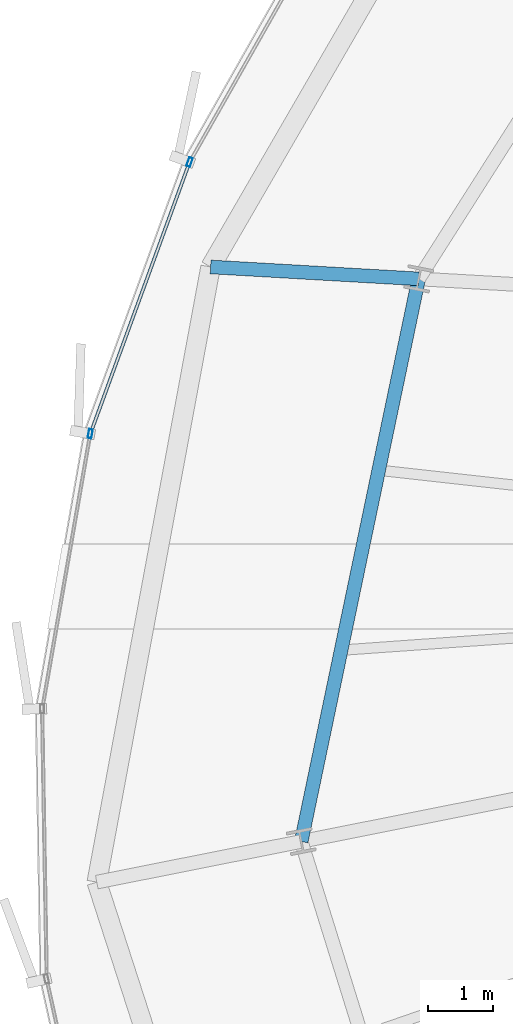
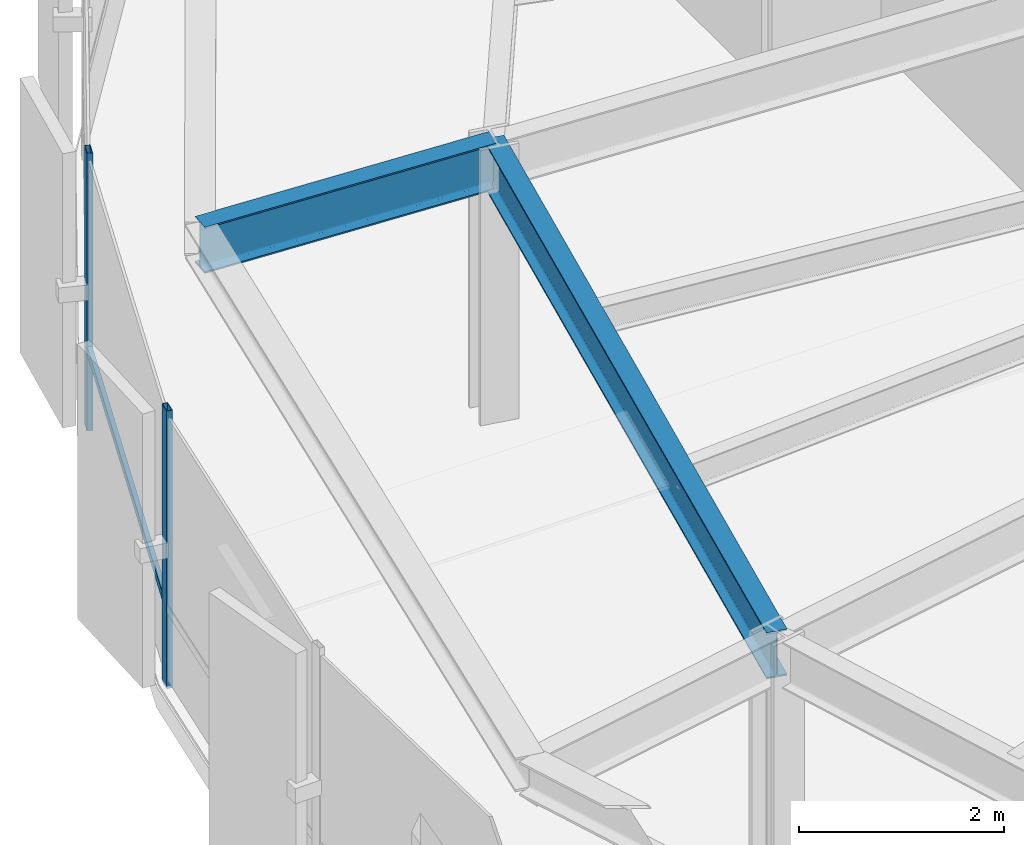
# One storey, part 10 of 32: 3 members, 2 beams, 1 element without a shape of its own.
"""IFC4 building model written with IfcOpenShell, lengths in metres."""

import ifcopenshell
import ifcopenshell.guid

model = None  # the IFC model being written
_history = None  # IfcOwnerHistory: only IFC2X3 demands one
_inside = {}  # id of a spatial element -> (the spatial element, [elements in it])
_under = {}  # id of a project, library or spatial element -> (it, [spatial elements below it])
_declared = {}  # id of a project -> (the project, [libraries it declares])
_typed = {}  # id of a type object -> (the type object, [elements of that type])
_made_of = {}  # id of a material, layer set ... -> (it, [elements and type objects made of it])


def new_model(schema):
    """Start an empty IFC model of exactly this schema.

    Asked for "IFC4X3", IfcOpenShell would pick the latest addendum, in which some entities
    have other attributes; the version numbers below select the first issue.
    IFC2X3 requires an IfcOwnerHistory on every rooted entity: one is made here for all.
    """
    global model, _history
    if schema == "IFC4X3":
        model = ifcopenshell.file(schema_version=(4, 3, 0, 0))
    else:
        model = ifcopenshell.file(schema=schema)
    _inside.clear()
    _under.clear()
    _declared.clear()
    _typed.clear()
    _made_of.clear()
    _history = None
    if model.schema == "IFC2X3":
        org = make("IfcOrganization", Name="unknown")
        user = make(
            "IfcPersonAndOrganization",
            ThePerson=make("IfcPerson", FamilyName="unknown"),
            TheOrganization=org,
        )
        app = make(
            "IfcApplication",
            ApplicationDeveloper=org,
            Version="unknown",
            ApplicationFullName="unknown",
            ApplicationIdentifier="unknown",
        )
        _history = make(
            "IfcOwnerHistory",
            OwningUser=user,
            OwningApplication=app,
            ChangeAction="ADDED",
            CreationDate=0,
        )
    return model


def make(cls, **values):
    """One entity of the class cls with the attributes given. An attribute that is None is left unset."""
    return model.create_entity(
        cls, **{name: value for name, value in values.items() if value is not None}
    )


def rooted(cls, **values):
    """An entity with a GlobalId (a new one), such as an element, a storey or a relation."""
    return make(cls, GlobalId=ifcopenshell.guid.new(), OwnerHistory=_history, **values)


def si_unit(unit_type, name, prefix=None):
    """IfcSIUnit, for example si_unit("LENGTHUNIT", "METRE", prefix="MILLI")."""
    return make("IfcSIUnit", UnitType=unit_type, Prefix=prefix, Name=name)


def assignment(units):
    """IfcUnitAssignment: the units of a project."""
    return None if units is None else make("IfcUnitAssignment", Units=units)


def point(xyz):
    """IfcCartesianPoint."""
    return None if xyz is None else make("IfcCartesianPoint", Coordinates=xyz)


def direction(xyz):
    """IfcDirection."""
    return None if xyz is None else make("IfcDirection", DirectionRatios=xyz)


def frame(location, z_axis=None, x_axis=None):
    """IfcAxis2Placement3D, a coordinate frame: its origin and axes. An axis left out is left unset."""
    return make(
        "IfcAxis2Placement3D",
        Location=point(location),
        Axis=direction(z_axis),
        RefDirection=direction(x_axis),
    )


def frame_2d(location, x_axis=None):
    """IfcAxis2Placement2D, a coordinate frame in the plane: its origin and x axis."""
    return make(
        "IfcAxis2Placement2D", Location=point(location), RefDirection=direction(x_axis)
    )


def origin():
    """The frame at (0, 0, 0) with its axes left unset."""
    return frame((0.0, 0.0, 0.0))


def origin_2d():
    """The frame at (0, 0) in the plane with its x axis left unset."""
    return frame_2d((0.0, 0.0))


def place(relative_to, where):
    """IfcLocalPlacement: puts the frame where relative to a parent placement (None: the world)."""
    return make(
        "IfcLocalPlacement", PlacementRelTo=relative_to, RelativePlacement=where
    )


def context(
    kind, dimensions, precision=None, world=None, true_north=None, identifier=None
):
    """IfcGeometricRepresentationContext, for example the 3D "Model" context."""
    return make(
        "IfcGeometricRepresentationContext",
        ContextIdentifier=identifier,
        ContextType=kind,
        CoordinateSpaceDimension=dimensions,
        Precision=precision,
        WorldCoordinateSystem=world,
        TrueNorth=true_north,
    )


def subcontext(parent, identifier, kind, view, scale=None):
    """IfcGeometricRepresentationSubContext, for example "Body" below "Model"."""
    return make(
        "IfcGeometricRepresentationSubContext",
        ContextIdentifier=identifier,
        ContextType=kind,
        ParentContext=parent,
        TargetScale=scale,
        TargetView=view,
    )


def project(units=None, contexts=None):
    """IfcProject with its units and contexts."""
    return rooted(
        "IfcProject",
        Name="project",
        RepresentationContexts=contexts,
        UnitsInContext=assignment(units),
    )


def spatial(cls, under=None, at=None, **own):
    """A site, building, storey or space (cls), placed at a placement, below another one or the project."""
    s = rooted(cls, ObjectPlacement=at, **own)
    if under is not None:
        _under.setdefault(under.id(), (under, []))[1].append(s)
    return s


def profile(cls, at=None, kind="AREA", **sizes):
    """A parametric profile (cls). Its sizes go by their IFC names, for example OverallWidth=200.0."""
    return make(cls, ProfileType=kind, Position=at, **sizes)


def hollow_rectangle(**sizes):
    """IfcRectangleHollowProfileDef."""
    return profile("IfcRectangleHollowProfileDef", **sizes)


def i_section(**sizes):
    """IfcIShapeProfileDef."""
    return profile("IfcIShapeProfileDef", **sizes)


def extrude(swept, where, along, depth):
    """IfcExtrudedAreaSolid: the profile swept, set in the frame where, extruded along a direction by depth."""
    return make(
        "IfcExtrudedAreaSolid",
        SweptArea=swept,
        Position=where,
        ExtrudedDirection=direction(along),
        Depth=depth,
    )


def shape(context_of_items, identifier, shape_type, items):
    """IfcShapeRepresentation: the items that make up one representation, for example the "Body"."""
    return make(
        "IfcShapeRepresentation",
        ContextOfItems=context_of_items,
        RepresentationIdentifier=identifier,
        RepresentationType=shape_type,
        Items=items,
    )


def source(mapping_origin, context_of_items, identifier, shape_type, items):
    """IfcRepresentationMap: a shape defined once, which mapped items show again and again."""
    return make(
        "IfcRepresentationMap",
        MappingOrigin=mapping_origin,
        MappedRepresentation=shape(context_of_items, identifier, shape_type, items),
    )


def transform(
    local_origin,
    x_axis=None,
    y_axis=None,
    z_axis=None,
    scale=None,
    scale2=None,
    scale3=None,
    uniform=True,
):
    """IfcCartesianTransformationOperator3D, or its non-uniform kind. x_axis, y_axis, z_axis: its Axis1, 2, 3."""
    if uniform:
        return make(
            "IfcCartesianTransformationOperator3D",
            Axis1=direction(x_axis),
            Axis2=direction(y_axis),
            LocalOrigin=point(local_origin),
            Scale=scale,
            Axis3=direction(z_axis),
        )
    return make(
        "IfcCartesianTransformationOperator3DnonUniform",
        Axis1=direction(x_axis),
        Axis2=direction(y_axis),
        LocalOrigin=point(local_origin),
        Scale=scale,
        Axis3=direction(z_axis),
        Scale2=scale2,
        Scale3=scale3,
    )


def mapped(mapping_source, mapping_target):
    """IfcMappedItem: shows the shape of a source again, moved by a transform."""
    return make(
        "IfcMappedItem", MappingSource=mapping_source, MappingTarget=mapping_target
    )


def material(Name=None, Category=None):
    """IfcMaterial."""
    return make("IfcMaterial", Name=Name, Category=Category)


def layer(
    of_material, thickness, ventilated=None, Name=None, Category=None, Priority=None
):
    """IfcMaterialLayer: one layer of a wall or slab, of a material (None: an air gap)."""
    return make(
        "IfcMaterialLayer",
        Material=of_material,
        LayerThickness=thickness,
        IsVentilated=ventilated,
        Name=Name,
        Category=Category,
        Priority=Priority,
    )


def layer_set(layers, Name=None):
    """IfcMaterialLayerSet."""
    return make("IfcMaterialLayerSet", MaterialLayers=layers, LayerSetName=Name)


def material_profile(
    of_material, cross_section, Name=None, Category=None, Priority=None
):
    """IfcMaterialProfile: a cross section and its material."""
    return make(
        "IfcMaterialProfile",
        Name=Name,
        Material=of_material,
        Profile=cross_section,
        Priority=Priority,
        Category=Category,
    )


def profile_set(profiles, Name=None, composite=None):
    """IfcMaterialProfileSet."""
    return make(
        "IfcMaterialProfileSet",
        Name=Name,
        MaterialProfiles=profiles,
        CompositeProfile=composite,
    )


def made_of(thing, what):
    """Note that an element or type object is made of a material, layer set ...; save() writes the relation."""
    if what is not None:
        _made_of.setdefault(what.id(), (what, []))[1].append(thing)
    return thing


def type_object(cls, material=None, **own):
    """A type object (cls), such as IfcWallType, which elements share."""
    return made_of(rooted(cls, **own), material)


def element(
    cls,
    number,
    at=None,
    inside=None,
    cuts=None,
    type_object=None,
    material=None,
    context=None,
    identifier="Body",
    shape_type=None,
    held_by="IfcProductDefinitionShape",
    body=None,
    shapes=None,
    **own,
):
    """One element of the class cls, such as IfcWall. Its Tag is "e" and its number.

    at: its placement. inside: the storey or other place that contains it. cuts: it is an
    opening in that element (IfcRelVoidsElement). A single representation is given by context,
    identifier, shape_type and body (its items); several are given by shapes. held_by: the class
    of the entity that holds the representations. save() writes the other relations.
    """
    e = rooted(cls, Tag="e%d" % number, ObjectPlacement=at, **own)
    if body is not None:
        shapes = [shape(context, identifier, shape_type, body)]
    if shapes is not None:
        e.Representation = make(held_by, Representations=shapes)
    if inside is not None:
        _inside.setdefault(inside.id(), (inside, []))[1].append(e)
    if cuts is not None:
        rooted(
            "IfcRelVoidsElement", RelatingBuildingElement=cuts, RelatedOpeningElement=e
        )
    if type_object is not None:
        _typed.setdefault(type_object.id(), (type_object, []))[1].append(e)
    return made_of(e, material)


def aggregate(whole, parts):
    """IfcRelAggregates: a whole, such as a stair, and the parts it consists of."""
    return rooted("IfcRelAggregates", RelatingObject=whole, RelatedObjects=parts)


def save(model, path):
    """Write the relations noted so far, then the file.

    IfcRelAggregates (storeys below a building ...), IfcRelContainedInSpatialStructure (elements
    in a storey), IfcRelDefinesByType, IfcRelAssociatesMaterial and IfcRelDeclares: one each for
    every whole, place, type object, material and project.
    """
    for whole, parts in _under.values():
        aggregate(whole, parts)
    for where, things in _inside.values():
        rooted(
            "IfcRelContainedInSpatialStructure",
            RelatedElements=things,
            RelatingStructure=where,
        )
    for kind, things in _typed.values():
        rooted("IfcRelDefinesByType", RelatedObjects=things, RelatingType=kind)
    for what, things in _made_of.values():
        rooted("IfcRelAssociatesMaterial", RelatedObjects=things, RelatingMaterial=what)
    for by, libraries in _declared.values():
        rooted("IfcRelDeclares", RelatingContext=by, RelatedDefinitions=libraries)
    model.write(path)


model = new_model("IFC4")

# Units and contexts
model_context = context("Model", 3, precision=1e-05, world=origin(), true_north=direction((0.0, 1.0)))
body_context = subcontext(model_context, "Body", "Model", "MODEL_VIEW")
ifc_project = project(units=[si_unit("LENGTHUNIT", "METRE"), si_unit("AREAUNIT", "SQUARE_METRE"), si_unit("VOLUMEUNIT", "CUBIC_METRE"), si_unit("PLANEANGLEUNIT", "RADIAN"), si_unit("MASSUNIT", "GRAM", prefix="KILO"), si_unit("THERMODYNAMICTEMPERATUREUNIT", "KELVIN")], contexts=[model_context])

# Site, building, storey
site_placement = place(None, origin())
site = spatial("IfcSite", under=ifc_project, at=site_placement, CompositionType="ELEMENT")
building_placement = place(site_placement, origin())
building = spatial("IfcBuilding", under=site, at=building_placement, Name="Kethvar Cultural Tower", CompositionType="ELEMENT")
storey_placement = place(building_placement, frame((0.0, 0.0, 157.199951171875)))
storey = spatial("IfcBuildingStorey", under=building, at=storey_placement, Name="L40", CompositionType="ELEMENT", Elevation=157.199951171875)

# Beams
ifc_material_1 = material(Name="Steel S355J2", Category="steel")
ifc_material_profile_1 = material_profile(ifc_material_1, i_section(OverallWidth=0.2099609375, OverallDepth=0.550048828125, WebThickness=0.010986328125, FlangeThickness=0.01708984375, FilletRadius=0.02392578125, at=origin_2d()), Name="Steel S355J2 — IPE550")
ifc_profile_set_1 = profile_set([ifc_material_profile_1], Name="Steel S355J2 — IPE550")
beam_type = type_object("IfcBeamType", Name="BM-IPE550", PredefinedType="BEAM", material=ifc_profile_set_1)
shared_shape_1 = source(origin(), body_context, "Body", "SweptSolid", [
    extrude(i_section(OverallWidth=0.2099609375, OverallDepth=0.550048828125, WebThickness=0.010986328125, FlangeThickness=0.01708984375, FilletRadius=0.02392578125, at=origin_2d()), origin(), (0.0, 0.0, 1.0), 3.2001953125),
])
beam_1_placement = place(storey_placement, frame((25.988525390625, 31.939697265625, 3.02294921875), z_axis=(-0.998357274949, 0.057295301352, 0.0), x_axis=(-0.057295301352, -0.998357274949, 0.0)))
element("IfcBeam", 1, at=beam_1_placement, inside=storey, type_object=beam_type, Name="L40 Perimeter Cantilever Beam RC-08", PredefinedType="BEAM", context=body_context, shape_type="MappedRepresentation", body=[
    mapped(shared_shape_1, transform((0.0, 0.0, 0.0), scale=1.0)),
])
shared_shape_2 = source(origin(), body_context, "Body", "SweptSolid", [
    extrude(i_section(OverallWidth=0.2099609375, OverallDepth=0.550048828125, WebThickness=0.010986328125, FlangeThickness=0.01708984375, FilletRadius=0.02392578125, at=origin_2d()), origin(), (0.0, 0.0, 1.0), 8.82421875),
])
beam_2_placement = place(storey_placement, frame((25.988525390625, 31.939697265625, 3.02294921875), z_axis=(-0.204350879122, -0.978897705688, 0.0), x_axis=(0.978897705688, -0.204350879122, 0.0)))
element("IfcBeam", 2, at=beam_2_placement, inside=storey, type_object=beam_type, Name="L40 Column Ring Tie Beam CR-08", PredefinedType="BEAM", context=body_context, shape_type="MappedRepresentation", body=[
    mapped(shared_shape_2, transform((0.0, 0.0, 0.0), scale=1.0)),
])

# Curtain wall, members
ifc_material_2 = material(Name="Aluminium 6063-T6", Category="aluminium")
ifc_layer = layer(ifc_material_2, 0.179931640625, Name="Aluminium 6063-T6", Category="aluminium")
ifc_layer_set = layer_set([ifc_layer], Name="Aluminium 6063-T6 (180 mm)")
curtain_wall_type = type_object("IfcCurtainWallType", Name="CW-SYS-04-Z34", PredefinedType="NOTDEFINED", material=ifc_layer_set)
curtain_wall_placement = place(storey_placement, origin())
curtain_wall = element("IfcCurtainWall", 3, at=curtain_wall_placement, inside=storey, type_object=curtain_wall_type, Name="L40 Curtain Wall Run 03", PredefinedType="NOTDEFINED")
ifc_material_profile_2 = material_profile(ifc_material_2, hollow_rectangle(XDim=0.06005859375, YDim=0.139892578125, WallThickness=0.0048828125, at=origin_2d()), Name="Aluminium 6063-T6 — RHS140x60x5")
ifc_profile_set_2 = profile_set([ifc_material_profile_2], Name="Aluminium 6063-T6 — RHS140x60x5")
member_type_1 = type_object("IfcMemberType", Name="CW-SYS-04-Z34-MUL", PredefinedType="MULLION", material=ifc_profile_set_2)
shared_shape_3 = source(origin(), body_context, "Body", "SweptSolid", [
    extrude(hollow_rectangle(XDim=0.06005859375, YDim=0.139892578125, WallThickness=0.0048828125, at=origin_2d()), origin(), (0.0, 0.0, 1.0), 3.300048828125),
])
member_1_placement = place(storey_placement, frame((22.47119140625, 33.73291015625, 0.0), z_axis=(0.0, 0.0, 1.0), x_axis=(0.939357886858, -0.342938420708, 0.0)))
member_1 = element("IfcMember", 4, at=member_1_placement, type_object=member_type_1, Name="CW-L40-R03 Mullion 2", PredefinedType="MULLION", context=body_context, shape_type="MappedRepresentation", body=[
    mapped(shared_shape_3, transform((0.0, 0.0, 0.0), scale=1.0)),
])
member_2_placement = place(storey_placement, frame((20.9462890625, 29.5615234375, 0.0), z_axis=(0.0, 0.0, 1.0), x_axis=(0.985103324097, -0.171963486977, 0.0)))
member_2 = element("IfcMember", 5, at=member_2_placement, type_object=member_type_1, Name="CW-L40-R03 Mullion 3", PredefinedType="MULLION", context=body_context, shape_type="MappedRepresentation", body=[
    mapped(shared_shape_3, transform((0.0, 0.0, 0.0), scale=1.0)),
])
ifc_material_profile_3 = material_profile(ifc_material_2, hollow_rectangle(XDim=0.050048828125, YDim=0.10009765625, WallThickness=0.00390625, at=origin_2d()), Name="Aluminium 6063-T6 — RHS100x50x4")
ifc_profile_set_3 = profile_set([ifc_material_profile_3], Name="Aluminium 6063-T6 — RHS100x50x4")
member_type_2 = type_object("IfcMemberType", Name="CW-SYS-04-Z34-TRN", PredefinedType="USERDEFINED", material=ifc_profile_set_3)
shared_shape_4 = source(origin(), body_context, "Body", "SweptSolid", [
    extrude(hollow_rectangle(XDim=0.050048828125, YDim=0.10009765625, WallThickness=0.00390625, at=origin_2d()), origin(), (0.0, 0.0, 1.0), 4.37451171875),
])
member_3_placement = place(storey_placement, frame((22.456298828125, 33.6923828125, 0.949951171875), z_axis=(-0.342957171205, -0.939351041261, 0.0), x_axis=(0.939351041261, -0.342957171205, 0.0)))
member_3 = element("IfcMember", 6, at=member_3_placement, type_object=member_type_2, Name="CW-L40-R03 Transom 2", ObjectType="TRANSOM", PredefinedType="USERDEFINED", context=body_context, shape_type="MappedRepresentation", body=[
    mapped(shared_shape_4, transform((0.0, 0.0, 0.0), scale=1.0)),
])
aggregate(curtain_wall, [member_1, member_2, member_3])

save(model, "model.ifc")
